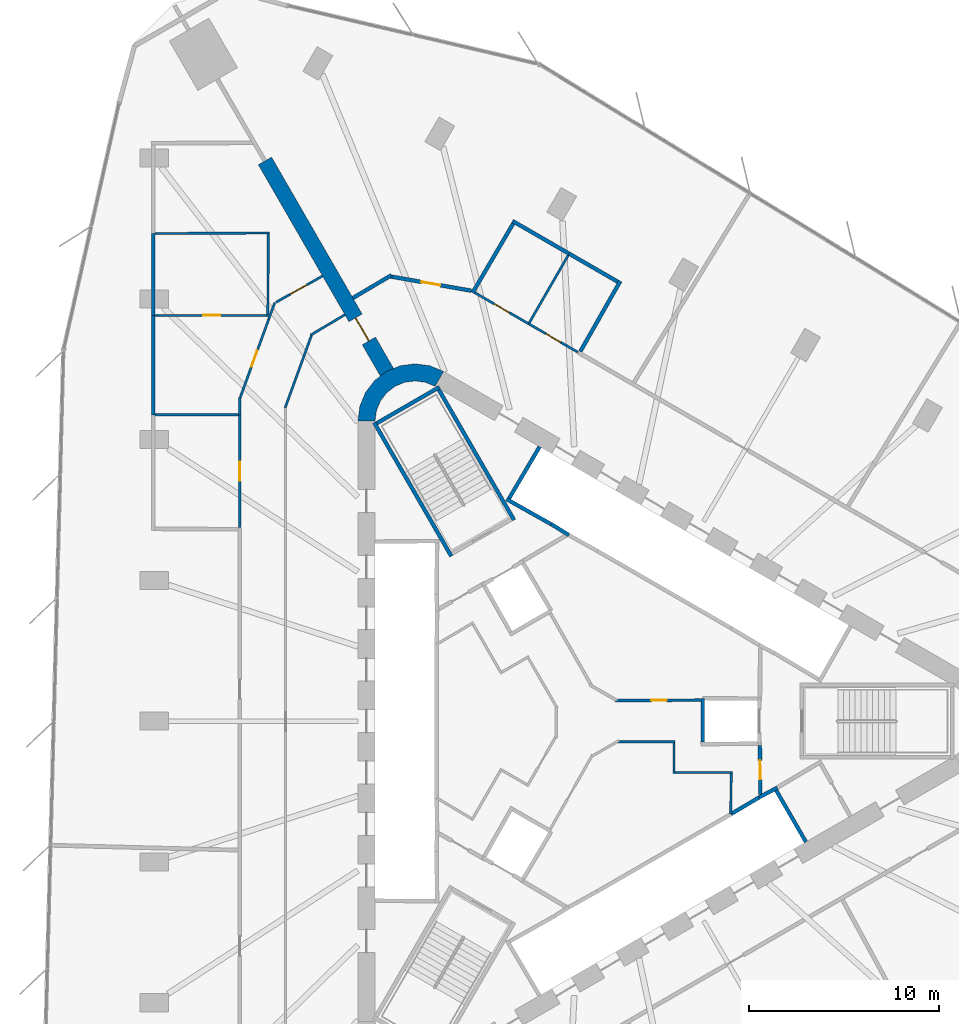
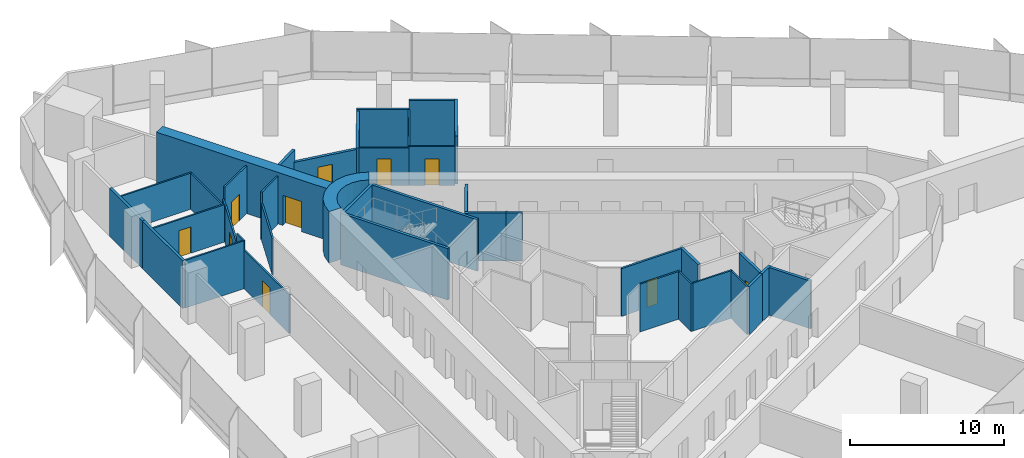
# One storey, part 11 of 14: 40 walls, 10 doors, 10 openings.
"""IFC4 building model written with IfcOpenShell, lengths in metres."""

from ifc_helpers import new_model, si_unit, direction, frame, frame_2d, origin, place, context, subcontext, project, spatial, polyline, rectangle, outline, extrude, material, layer, layer_set, type_object, element, fill, save


model = new_model("IFC4")

# Units and contexts
model_context = context("Model", 3, precision=1e-05, world=origin(), true_north=direction((0.0, 1.0)))
body_context = subcontext(model_context, "Body", "Model", "MODEL_VIEW")
ifc_project = project(units=[si_unit("LENGTHUNIT", "METRE"), si_unit("AREAUNIT", "SQUARE_METRE"), si_unit("VOLUMEUNIT", "CUBIC_METRE"), si_unit("PLANEANGLEUNIT", "RADIAN"), si_unit("MASSUNIT", "GRAM", prefix="KILO")], contexts=[model_context])

# Site, building, storey
site_placement = place(None, origin())
site = spatial("IfcSite", under=ifc_project, at=site_placement, CompositionType="ELEMENT")
building_placement = place(site_placement, origin())
building = spatial("IfcBuilding", under=site, at=building_placement, Name="Tanit Gate Tower", CompositionType="ELEMENT")
storey_placement = place(building_placement, frame((0.0, 0.0, 127.5)))
storey = spatial("IfcBuildingStorey", under=building, at=storey_placement, Name="L27", CompositionType="ELEMENT", Elevation=127.5)

# Wall, opening, door
ifc_material_1 = material(Name="Concrete C60/75", Category="concrete")
ifc_layer_1 = layer(ifc_material_1, 0.800048828125)
ifc_layer_set_1 = layer_set([ifc_layer_1], Name="BUTTRESS FIN 800 C60/75")
wall_type_1 = type_object("IfcWallType", Name="BUTTRESS FIN 800 C60/75", PredefinedType="SHEAR", material=ifc_layer_set_1)
wall_1_placement = place(storey_placement, frame((-10.574951171875, 18.31640625, 0.0), z_axis=(0.0, 0.0, 1.0), x_axis=(-0.500008359956, 0.866020577108, 0.0)))
wall_1 = element("IfcWall", 1, at=wall_1_placement, inside=storey, type_object=wall_type_1, Name="BUTTRESS FIN", PredefinedType="SHEAR", context=body_context, shape_type="SweptSolid", body=[
    extrude(rectangle(XDim=12.812255859375, YDim=0.800048828125, at=frame_2d((6.40625, 0.0))), origin(), (0.0, 0.0, 1.0), 4.10009765625),
])
opening_1_placement = place(wall_1_placement, frame((1.89990234375, 0.0, 0.0)))
opening_1 = element("IfcOpeningElement", 2, at=opening_1_placement, cuts=wall_1, Name="Opening P14-S06-F-NW-1", PredefinedType="OPENING", context=body_context, shape_type="SweptSolid", body=[
    extrude(rectangle(XDim=1.39990234375, YDim=2.39990234375, at=frame_2d((0.699951171875, 1.199951171875))), frame((0.0, 0.41015625, 0.0), z_axis=(0.0, -1.0, 0.0), x_axis=(1.0, 0.0, 0.0)), (0.0, 0.0, 1.0), 0.820068359375),
])
ifc_material_2 = material(Name="Timber door leaf", Category="wood")
door_type_1 = type_object("IfcDoorType", Name="INT-DOOR-FIN-PAIR-1400", OperationType="NOTDEFINED", PredefinedType="NOTDEFINED", material=ifc_material_2)
door_1_placement = place(opening_1_placement, origin())
door_1 = element("IfcDoor", 3, at=door_1_placement, inside=storey, type_object=door_type_1, Name="Door P14-S06-F-NW-1", OperationType="DOUBLE_DOOR_SINGLE_SWING", OverallHeight=2.39990234375, OverallWidth=1.39990234375, PredefinedType="NOTDEFINED", context=body_context, shape_type="SweptSolid", body=[
    extrude(rectangle(XDim=1.39990234375, YDim=2.39990234375, at=frame_2d((0.699951171875, 1.199951171875))), frame((0.0, 0.02490234375, 0.0), z_axis=(0.0, -1.0, 0.0), x_axis=(1.0, 0.0, 0.0)), (0.0, 0.0, 1.0), 0.050048828125),
])
fill(opening_1, door_1)

# Wall
ifc_material_3 = material(Name="Concrete C60/75", Category="concrete")
ifc_layer_2 = layer(ifc_material_3, 0.89990234375)
ifc_layer_set_2 = layer_set([ifc_layer_2], Name="CORE WALL 900 C60/75")
wall_type_2 = type_object("IfcWallType", Name="CORE WALL 900 C60/75", PredefinedType="SHEAR", material=ifc_layer_set_2)
wall_2_placement = place(storey_placement, origin())
element("IfcWall", 4, at=wall_2_placement, inside=storey, type_object=wall_type_2, Name="CORE WALL CORNER", PredefinedType="SHEAR", context=body_context, shape_type="SweptSolid", body=[
    extrude(outline(polyline([(-7.60009765625, 18.359619140625), (-8.323486328125, 18.659423828125), (-9.10009765625, 18.76171875), (-9.87646484375, 18.659423828125), (-10.60009765625, 18.359619140625), (-11.22119140625, 17.883056640625), (-11.697998046875, 17.26171875), (-11.997802734375, 16.5380859375), (-12.10009765625, 15.76171875), (-11.199951171875, 15.76171875), (-11.12841796875, 16.30517578125), (-10.918701171875, 16.811767578125), (-10.5849609375, 17.24658203125), (-10.14990234375, 17.580322265625), (-9.6435546875, 17.7900390625), (-9.10009765625, 17.86181640625), (-8.556396484375, 17.7900390625), (-8.050048828125, 17.580322265625), (-7.60009765625, 18.359619140625)])), origin(), (0.0, 0.0, 1.0), 4.10009765625),
])

# Wall, opening, door
ifc_material_4 = material(Name="Fire-rated gypsum board partition")
ifc_layer_3 = layer(ifc_material_4, 0.199951171875)
ifc_layer_set_3 = layer_set([ifc_layer_3], Name="INT-WALL-COMPARTMENT")
wall_type_3 = type_object("IfcWallType", Name="INT-WALL-COMPARTMENT", PredefinedType="PARTITIONING", material=ifc_layer_set_3)
wall_3_placement = place(storey_placement, frame((9.02880859375, -3.850830078125, 0.0), z_axis=(0.0, 0.0, 1.0), x_axis=(-0.010783593937, 0.99994185536, 0.0)))
wall_3 = element("IfcWall", 5, at=wall_3_placement, inside=storey, type_object=wall_type_3, Name="Wall Compartment W060", PredefinedType="PARTITIONING", context=body_context, shape_type="SweptSolid", body=[
    extrude(rectangle(XDim=2.5810546875, YDim=0.199951171875, at=frame_2d((1.29052734375, 0.0))), origin(), (0.0, 0.0, 1.0), 3.800048828125),
])
opening_2_placement = place(wall_3_placement, frame((0.79052734375, 0.0, 0.0)))
opening_2 = element("IfcOpeningElement", 6, at=opening_2_placement, cuts=wall_3, Name="Opening F10-S06-02", PredefinedType="OPENING", context=body_context, shape_type="SweptSolid", body=[
    extrude(rectangle(XDim=1.0, YDim=2.10009765625, at=frame_2d((0.5, 1.050048828125))), frame((0.0, 0.10986328125, 0.0), z_axis=(0.0, -1.0, 0.0), x_axis=(1.0, 0.0, 0.0)), (0.0, 0.0, 1.0), 0.219970703125),
])
ifc_material_5 = material(Name="Fire-rated steel door leaf", Category="steel")
door_type_2 = type_object("IfcDoorType", Name="INT-DOOR-FIRE-1000", OperationType="NOTDEFINED", PredefinedType="USERDEFINED", material=ifc_material_5)
door_2_placement = place(opening_2_placement, origin())
door_2 = element("IfcDoor", 7, at=door_2_placement, inside=storey, type_object=door_type_2, Name="Door F10-S06-02", ObjectType="FIRE DOOR", OperationType="SINGLE_SWING_LEFT", OverallHeight=2.10009765625, OverallWidth=1.0, PredefinedType="USERDEFINED", context=body_context, shape_type="SweptSolid", body=[
    extrude(rectangle(XDim=1.0, YDim=2.10009765625, at=frame_2d((0.5, 1.050048828125))), frame((0.0, 0.02490234375, 0.0), z_axis=(0.0, -1.0, 0.0), x_axis=(1.0, 0.0, 0.0)), (0.0, 0.0, 1.0), 0.050048828125),
])
fill(opening_2, door_2)

# Wall
wall_4_placement = place(storey_placement, frame((-10.3388671875, 23.4150390625, 0.0), z_axis=(0.0, 0.0, 1.0), x_axis=(-0.860316803263, -0.509759745393, 0.0)))
element("IfcWall", 8, at=wall_4_placement, inside=storey, type_object=wall_type_3, Name="Wall Compartment W097", PredefinedType="PARTITIONING", context=body_context, shape_type="SweptSolid", body=[
    extrude(rectangle(XDim=2.35400390625, YDim=0.199951171875, at=frame_2d((1.177001953125, 0.0))), origin(), (0.0, 0.0, 1.0), 3.800048828125),
])

# Wall, opening, door
wall_5_placement = place(storey_placement, frame((-6.140625, 22.597900390625, 0.0), z_axis=(0.0, 0.0, 1.0), x_axis=(-0.984804622474, 0.173665930897, 0.0)))
wall_5 = element("IfcWall", 9, at=wall_5_placement, inside=storey, type_object=wall_type_3, Name="Wall Compartment W098", PredefinedType="PARTITIONING", context=body_context, shape_type="SweptSolid", body=[
    extrude(rectangle(XDim=4.31591796875, YDim=0.199951171875, at=frame_2d((2.157958984375, 0.0))), origin(), (0.0, 0.0, 1.0), 2.8798828125),
])
opening_3_placement = place(wall_5_placement, frame((1.657958984375, 0.0, 0.0)))
opening_3 = element("IfcOpeningElement", 10, at=opening_3_placement, cuts=wall_5, Name="Opening F10-S06-23", PredefinedType="OPENING", context=body_context, shape_type="SweptSolid", body=[
    extrude(rectangle(XDim=1.0, YDim=2.10009765625, at=frame_2d((0.5, 1.050048828125))), frame((0.0, 0.10986328125, 0.0), z_axis=(0.0, -1.0, 0.0), x_axis=(1.0, 0.0, 0.0)), (0.0, 0.0, 1.0), 0.219970703125),
])
door_3_placement = place(opening_3_placement, origin())
door_3 = element("IfcDoor", 11, at=door_3_placement, inside=storey, type_object=door_type_2, Name="Door F10-S06-23", ObjectType="FIRE DOOR", OperationType="SINGLE_SWING_LEFT", OverallHeight=2.10009765625, OverallWidth=1.0, PredefinedType="USERDEFINED", context=body_context, shape_type="SweptSolid", body=[
    extrude(rectangle(XDim=1.0, YDim=2.10009765625, at=frame_2d((0.5, 1.050048828125))), frame((0.0, 0.02490234375, 0.0), z_axis=(0.0, -1.0, 0.0), x_axis=(1.0, 0.0, 0.0)), (0.0, 0.0, 1.0), 0.050048828125),
])
fill(opening_3, door_3)

# Walls
wall_6_placement = place(storey_placement, frame((-22.85009765625, 21.302490234375, 0.0), z_axis=(0.0, 0.0, 1.0), x_axis=(0.0, 1.0, 0.0)))
element("IfcWall", 12, at=wall_6_placement, inside=storey, type_object=wall_type_3, Name="Wall Compartment W121", PredefinedType="PARTITIONING", context=body_context, shape_type="SweptSolid", body=[
    extrude(rectangle(XDim=4.29736328125, YDim=0.199951171875, at=frame_2d((2.148681640625, 0.0))), origin(), (0.0, 0.0, 1.0), 3.800048828125),
])
wall_7_placement = place(storey_placement, frame((-22.85009765625, 16.083740234375, 0.0), z_axis=(0.0, 0.0, 1.0), x_axis=(0.0, 1.0, 0.0)))
element("IfcWall", 13, at=wall_7_placement, inside=storey, type_object=wall_type_3, Name="Wall Compartment W120", PredefinedType="PARTITIONING", context=body_context, shape_type="SweptSolid", body=[
    extrude(rectangle(XDim=5.21875, YDim=0.199951171875, at=frame_2d((2.609375, 0.0))), origin(), (0.0, 0.0, 1.0), 3.800048828125),
])
wall_8_placement = place(storey_placement, frame((-0.42138671875, 19.411376953125, 0.0), z_axis=(0.0, 0.0, 1.0), x_axis=(0.493854448618, 0.86954458401, 0.0)))
element("IfcWall", 14, at=wall_8_placement, inside=storey, type_object=wall_type_3, Name="Wall Compartment W126", PredefinedType="PARTITIONING", context=body_context, shape_type="SweptSolid", body=[
    extrude(rectangle(XDim=4.25, YDim=0.199951171875, at=frame_2d((2.125, 0.0))), origin(), (0.0, 0.0, 1.0), 3.800048828125),
])
wall_9_placement = place(storey_placement, frame((-3.983642578125, 26.260009765625, 0.0), z_axis=(0.0, 0.0, 1.0), x_axis=(0.866016279763, -0.500015802937, 0.0)))
element("IfcWall", 15, at=wall_9_placement, inside=storey, type_object=wall_type_3, Name="Wall Compartment W128", PredefinedType="PARTITIONING", context=body_context, shape_type="SweptSolid", body=[
    extrude(rectangle(XDim=3.43408203125, YDim=0.199951171875, at=frame_2d((1.717041015625, 0.0))), origin(), (0.0, 0.0, 1.0), 3.080078125),
])
wall_10_placement = place(storey_placement, frame((-1.009765625, 24.54296875, 0.0), z_axis=(0.0, 0.0, 1.0), x_axis=(0.866036539348, -0.499980712142, 0.0)))
element("IfcWall", 16, at=wall_10_placement, inside=storey, type_object=wall_type_3, Name="Wall Compartment W127", PredefinedType="PARTITIONING", context=body_context, shape_type="SweptSolid", body=[
    extrude(rectangle(XDim=2.94580078125, YDim=0.199951171875, at=frame_2d((1.472900390625, 0.0))), origin(), (0.0, 0.0, 1.0), 3.800048828125),
])
wall_11_placement = place(storey_placement, frame((-6.078369140625, 22.49267578125, 0.0), z_axis=(0.0, 0.0, 1.0), x_axis=(0.506079610092, 0.862486769898, 0.0)))
element("IfcWall", 17, at=wall_11_placement, inside=storey, type_object=wall_type_3, Name="Wall Compartment W129", PredefinedType="PARTITIONING", context=body_context, shape_type="SweptSolid", body=[
    extrude(rectangle(XDim=4.2099609375, YDim=0.199951171875, at=frame_2d((2.10498046875, 0.0))), origin(), (0.0, 0.0, 1.0), 2.97998046875),
])
ifc_material_6 = material(Name="Gypsum board partition")
ifc_layer_4 = layer(ifc_material_6, 0.1201171875)
ifc_layer_set_4 = layer_set([ifc_layer_4], Name="INT-WALL-PARTITION")
wall_type_4 = type_object("IfcWallType", Name="INT-WALL-PARTITION", PredefinedType="PARTITIONING", material=ifc_layer_set_4)
wall_12_placement = place(storey_placement, frame((4.56005859375, -1.074951171875, 0.0), z_axis=(0.0, 0.0, 1.0), x_axis=(-1.0, 0.0, 0.0)))
element("IfcWall", 18, at=wall_12_placement, inside=storey, type_object=wall_type_4, Name="Wall Partition W070", PredefinedType="PARTITIONING", context=body_context, shape_type="SweptSolid", body=[
    extrude(rectangle(XDim=3.02587890625, YDim=0.1201171875, at=frame_2d((1.512939453125, 0.0))), origin(), (0.0, 0.0, 1.0), 3.800048828125),
])
wall_13_placement = place(storey_placement, frame((4.5, -2.760009765625, 0.0), z_axis=(0.0, 0.0, 1.0), x_axis=(0.0, 1.0, 0.0)))
element("IfcWall", 19, at=wall_13_placement, inside=storey, type_object=wall_type_4, Name="Wall Partition W071", PredefinedType="PARTITIONING", context=body_context, shape_type="SweptSolid", body=[
    extrude(rectangle(XDim=1.625, YDim=0.1201171875, at=frame_2d((0.8125, 0.0))), origin(), (0.0, 0.0, 1.0), 3.800048828125),
])
wall_14_placement = place(storey_placement, frame((7.56005859375, -2.699951171875, 0.0), z_axis=(0.0, 0.0, 1.0), x_axis=(-1.0, 0.0, 0.0)))
element("IfcWall", 20, at=wall_14_placement, inside=storey, type_object=wall_type_4, Name="Wall Partition W072", PredefinedType="PARTITIONING", context=body_context, shape_type="SweptSolid", body=[
    extrude(rectangle(XDim=3.0, YDim=0.1201171875, at=frame_2d((1.5, 0.0))), origin(), (0.0, 0.0, 1.0), 3.800048828125),
])
wall_15_placement = place(storey_placement, frame((7.474609375, -4.864501953125, 0.0), z_axis=(0.0, 0.0, 1.0), x_axis=(0.011716133148, 0.999931363757, 0.0)))
element("IfcWall", 21, at=wall_15_placement, inside=storey, type_object=wall_type_4, Name="Wall Partition W073", PredefinedType="PARTITIONING", context=body_context, shape_type="SweptSolid", body=[
    extrude(rectangle(XDim=2.104736328125, YDim=0.1201171875, at=frame_2d((1.05224609375, 0.0))), origin(), (0.0, 0.0, 1.0), 3.800048828125),
])
wall_16_placement = place(storey_placement, frame((-12.781982421875, 21.339111328125, 0.0), z_axis=(0.0, 0.0, 1.0), x_axis=(-0.859769901207, -0.510681619973, 0.0)))
element("IfcWall", 22, at=wall_16_placement, inside=storey, type_object=wall_type_4, Name="Wall Partition W083", PredefinedType="PARTITIONING", context=body_context, shape_type="SweptSolid", body=[
    extrude(rectangle(XDim=2.092529296875, YDim=0.1201171875, at=frame_2d((1.04638671875, 0.0))), origin(), (0.0, 0.0, 1.0), 3.800048828125),
])
wall_17_placement = place(storey_placement, frame((-14.527587890625, 20.281982421875, 0.0), z_axis=(0.0, 0.0, 1.0), x_axis=(-0.341969257767, -0.939711140054, 0.0)))
element("IfcWall", 23, at=wall_17_placement, inside=storey, type_object=wall_type_4, Name="Wall Partition W084", PredefinedType="PARTITIONING", context=body_context, shape_type="SweptSolid", body=[
    extrude(rectangle(XDim=4.072998046875, YDim=0.1201171875, at=frame_2d((2.03662109375, 0.0))), origin(), (0.0, 0.0, 1.0), 2.8798828125),
])
wall_18_placement = place(storey_placement, frame((-18.300048828125, 16.994140625, 0.0), z_axis=(0.0, 0.0, 1.0), x_axis=(0.0, -1.0, 0.0)))
element("IfcWall", 24, at=wall_18_placement, inside=storey, type_object=wall_type_4, Name="Wall Partition W093", PredefinedType="PARTITIONING", context=body_context, shape_type="SweptSolid", body=[
    extrude(rectangle(XDim=0.910400390625, YDim=0.1201171875, at=frame_2d((0.455078125, 0.0))), origin(), (0.0, 0.0, 1.0), 3.800048828125),
])

# Wall, opening, door
wall_19_placement = place(storey_placement, frame((-18.300048828125, 16.083740234375, 0.0), z_axis=(0.0, 0.0, 1.0), x_axis=(0.0, -1.0, 0.0)))
wall_19 = element("IfcWall", 25, at=wall_19_placement, inside=storey, type_object=wall_type_4, Name="Wall Partition W092", PredefinedType="PARTITIONING", context=body_context, shape_type="SweptSolid", body=[
    extrude(rectangle(XDim=5.913818359375, YDim=0.1201171875, at=frame_2d((2.95703125, 0.0))), origin(), (0.0, 0.0, 1.0), 3.080078125),
])
opening_4_placement = place(wall_19_placement, frame((2.456787109375, 0.0, 0.0)))
opening_4 = element("IfcOpeningElement", 26, at=opening_4_placement, cuts=wall_19, Name="Opening D10-S06-15", PredefinedType="OPENING", context=body_context, shape_type="SweptSolid", body=[
    extrude(rectangle(XDim=1.0, YDim=2.10009765625, at=frame_2d((0.5, 1.050048828125))), frame((0.0, 0.070068359375, 0.0), z_axis=(0.0, -1.0, 0.0), x_axis=(1.0, 0.0, 0.0)), (0.0, 0.0, 1.0), 0.14013671875),
])
ifc_material_7 = material(Name="Timber door leaf", Category="wood")
door_type_3 = type_object("IfcDoorType", Name="INT-DOOR-SINGLE-1000", OperationType="NOTDEFINED", PredefinedType="NOTDEFINED", material=ifc_material_7)
door_4_placement = place(opening_4_placement, origin())
door_4 = element("IfcDoor", 27, at=door_4_placement, inside=storey, type_object=door_type_3, Name="Door D10-S06-15", OperationType="SINGLE_SWING_LEFT", OverallHeight=2.10009765625, OverallWidth=1.0, PredefinedType="NOTDEFINED", context=body_context, shape_type="SweptSolid", body=[
    extrude(rectangle(XDim=1.0, YDim=2.10009765625, at=frame_2d((0.5, 1.050048828125))), frame((0.0, 0.02490234375, 0.0), z_axis=(0.0, -1.0, 0.0), x_axis=(1.0, 0.0, 0.0)), (0.0, 0.0, 1.0), 0.050048828125),
])
fill(opening_4, door_4)

# Wall
wall_20_placement = place(storey_placement, frame((-16.467041015625, 21.970458984375, 0.0), z_axis=(0.0, 0.0, 1.0), x_axis=(-0.341973086836, -0.939709746613, 0.0)))
element("IfcWall", 28, at=wall_20_placement, inside=storey, type_object=wall_type_4, Name="Wall Partition W095", PredefinedType="PARTITIONING", context=body_context, shape_type="SweptSolid", body=[
    extrude(rectangle(XDim=0.937255859375, YDim=0.1201171875, at=frame_2d((0.46875, 0.0))), origin(), (0.0, 0.0, 1.0), 2.8798828125),
])

# Wall, opening, door
wall_21_placement = place(storey_placement, frame((-16.78759765625, 21.089599609375, 0.0), z_axis=(0.0, 0.0, 1.0), x_axis=(-0.342035154905, -0.939687156882, 0.0)))
wall_21 = element("IfcWall", 29, at=wall_21_placement, inside=storey, type_object=wall_type_4, Name="Wall Partition W094", PredefinedType="PARTITIONING", context=body_context, shape_type="SweptSolid", body=[
    extrude(rectangle(XDim=4.362060546875, YDim=0.1201171875, at=frame_2d((2.18115234375, 0.0))), origin(), (0.0, 0.0, 1.0), 2.97998046875),
])
opening_5_placement = place(wall_21_placement, frame((1.73095703125, 0.0, 0.0)))
opening_5 = element("IfcOpeningElement", 30, at=opening_5_placement, cuts=wall_21, Name="Opening D09-S06-16", PredefinedType="OPENING", context=body_context, shape_type="SweptSolid", body=[
    extrude(rectangle(XDim=0.89990234375, YDim=2.10009765625, at=frame_2d((0.449951171875, 1.050048828125))), frame((0.0, 0.070068359375, 0.0), z_axis=(0.0, -1.0, 0.0), x_axis=(1.0, 0.0, 0.0)), (0.0, 0.0, 1.0), 0.14013671875),
])
ifc_material_8 = material(Name="Timber door leaf", Category="wood")
door_type_4 = type_object("IfcDoorType", Name="INT-DOOR-SINGLE-900", OperationType="NOTDEFINED", PredefinedType="NOTDEFINED", material=ifc_material_8)
door_5_placement = place(opening_5_placement, origin())
door_5 = element("IfcDoor", 31, at=door_5_placement, inside=storey, type_object=door_type_4, Name="Door D09-S06-16", OperationType="SINGLE_SWING_LEFT", OverallHeight=2.10009765625, OverallWidth=0.89990234375, PredefinedType="NOTDEFINED", context=body_context, shape_type="SweptSolid", body=[
    extrude(rectangle(XDim=0.89990234375, YDim=2.10009765625, at=frame_2d((0.449951171875, 1.050048828125))), frame((0.0, 0.02490234375, 0.0), z_axis=(0.0, -1.0, 0.0), x_axis=(1.0, 0.0, 0.0)), (0.0, 0.0, 1.0), 0.050048828125),
])
fill(opening_5, door_5)

wall_22_placement = place(storey_placement, frame((-13.956298828125, 23.373046875, 0.0), z_axis=(0.0, 0.0, 1.0), x_axis=(-0.870551471841, -0.492077366757, 0.0)))
wall_22 = element("IfcWall", 32, at=wall_22_placement, inside=storey, type_object=wall_type_4, Name="Wall Partition W096", PredefinedType="PARTITIONING", context=body_context, shape_type="SweptSolid", body=[
    extrude(rectangle(XDim=2.80029296875, YDim=0.1201171875, at=frame_2d((1.400146484375, 0.0))), origin(), (0.0, 0.0, 1.0), 3.800048828125),
])
opening_6_placement = place(wall_22_placement, frame((0.9501953125, 0.0, 0.0)))
opening_6 = element("IfcOpeningElement", 33, at=opening_6_placement, cuts=wall_22, Name="Opening D10-S06-18", PredefinedType="OPENING", context=body_context, shape_type="SweptSolid", body=[
    extrude(rectangle(XDim=1.0, YDim=2.10009765625, at=frame_2d((0.5, 1.050048828125))), frame((0.0, 0.070068359375, 0.0), z_axis=(0.0, -1.0, 0.0), x_axis=(1.0, 0.0, 0.0)), (0.0, 0.0, 1.0), 0.14013671875),
])
door_6_placement = place(opening_6_placement, origin())
door_6 = element("IfcDoor", 34, at=door_6_placement, inside=storey, type_object=door_type_3, Name="Door D10-S06-18", OperationType="SINGLE_SWING_RIGHT", OverallHeight=2.10009765625, OverallWidth=1.0, PredefinedType="NOTDEFINED", context=body_context, shape_type="SweptSolid", body=[
    extrude(rectangle(XDim=1.0, YDim=2.10009765625, at=frame_2d((0.5, 1.050048828125))), frame((0.0, 0.02490234375, 0.0), z_axis=(0.0, -1.0, 0.0), x_axis=(1.0, 0.0, 0.0)), (0.0, 0.0, 1.0), 0.050048828125),
])
fill(opening_6, door_6)

wall_23_placement = place(storey_placement, frame((-0.557373046875, 19.37451171875, 0.0), z_axis=(0.0, 0.0, 1.0), x_axis=(-0.866028486751, 0.499994660107, 0.0)))
wall_23 = element("IfcWall", 35, at=wall_23_placement, inside=storey, type_object=wall_type_4, Name="Wall Partition W104", PredefinedType="PARTITIONING", context=body_context, shape_type="SweptSolid", body=[
    extrude(rectangle(XDim=2.97607421875, YDim=0.1201171875, at=frame_2d((1.488037109375, 0.0))), origin(), (0.0, 0.0, 1.0), 3.080078125),
])
opening_7_placement = place(wall_23_placement, frame((1.0380859375, 0.0, 0.0)))
opening_7 = element("IfcOpeningElement", 36, at=opening_7_placement, cuts=wall_23, Name="Opening D09-S06-19", PredefinedType="OPENING", context=body_context, shape_type="SweptSolid", body=[
    extrude(rectangle(XDim=0.89990234375, YDim=2.10009765625, at=frame_2d((0.449951171875, 1.050048828125))), frame((0.0, 0.070068359375, 0.0), z_axis=(0.0, -1.0, 0.0), x_axis=(1.0, 0.0, 0.0)), (0.0, 0.0, 1.0), 0.14013671875),
])
door_7_placement = place(opening_7_placement, origin())
door_7 = element("IfcDoor", 37, at=door_7_placement, inside=storey, type_object=door_type_4, Name="Door D09-S06-19", OperationType="SINGLE_SWING_LEFT", OverallHeight=2.10009765625, OverallWidth=0.89990234375, PredefinedType="NOTDEFINED", context=body_context, shape_type="SweptSolid", body=[
    extrude(rectangle(XDim=0.89990234375, YDim=2.10009765625, at=frame_2d((0.449951171875, 1.050048828125))), frame((0.0, 0.02490234375, 0.0), z_axis=(0.0, -1.0, 0.0), x_axis=(1.0, 0.0, 0.0)), (0.0, 0.0, 1.0), 0.050048828125),
])
fill(opening_7, door_7)

wall_24_placement = place(storey_placement, frame((-3.134765625, 20.862548828125, 0.0), z_axis=(0.0, 0.0, 1.0), x_axis=(-0.866043587326, 0.49996850386, 0.0)))
wall_24 = element("IfcWall", 38, at=wall_24_placement, inside=storey, type_object=wall_type_4, Name="Wall Partition W105", PredefinedType="PARTITIONING", context=body_context, shape_type="SweptSolid", body=[
    extrude(rectangle(XDim=3.263916015625, YDim=0.1201171875, at=frame_2d((1.6318359375, 0.0))), origin(), (0.0, 0.0, 1.0), 2.97998046875),
])
opening_8_placement = place(wall_24_placement, frame((1.181884765625, 0.0, 0.0)))
opening_8 = element("IfcOpeningElement", 39, at=opening_8_placement, cuts=wall_24, Name="Opening D09-S06-20", PredefinedType="OPENING", context=body_context, shape_type="SweptSolid", body=[
    extrude(rectangle(XDim=0.89990234375, YDim=2.10009765625, at=frame_2d((0.449951171875, 1.050048828125))), frame((0.0, 0.070068359375, 0.0), z_axis=(0.0, -1.0, 0.0), x_axis=(1.0, 0.0, 0.0)), (0.0, 0.0, 1.0), 0.14013671875),
])
door_8_placement = place(opening_8_placement, origin())
door_8 = element("IfcDoor", 40, at=door_8_placement, inside=storey, type_object=door_type_4, Name="Door D09-S06-20", OperationType="SINGLE_SWING_RIGHT", OverallHeight=2.10009765625, OverallWidth=0.89990234375, PredefinedType="NOTDEFINED", context=body_context, shape_type="SweptSolid", body=[
    extrude(rectangle(XDim=0.89990234375, YDim=2.10009765625, at=frame_2d((0.449951171875, 1.050048828125))), frame((0.0, 0.02490234375, 0.0), z_axis=(0.0, -1.0, 0.0), x_axis=(1.0, 0.0, 0.0)), (0.0, 0.0, 1.0), 0.050048828125),
])
fill(opening_8, door_8)

# Wall
wall_25_placement = place(storey_placement, frame((-18.360107421875, 16.083740234375, 0.0), z_axis=(0.0, 0.0, 1.0), x_axis=(-1.0, 0.0, 0.0)))
element("IfcWall", 41, at=wall_25_placement, inside=storey, type_object=wall_type_4, Name="Wall Partition W135", PredefinedType="PARTITIONING", context=body_context, shape_type="SweptSolid", body=[
    extrude(rectangle(XDim=4.389892578125, YDim=0.1201171875, at=frame_2d((2.19482421875, 0.0))), origin(), (0.0, 0.0, 1.0), 3.800048828125),
])

# Wall, opening, door
wall_26_placement = place(storey_placement, frame((-16.800048828125, 21.302490234375, 0.0), z_axis=(0.0, 0.0, 1.0), x_axis=(-1.0, 0.0, 0.0)))
wall_26 = element("IfcWall", 42, at=wall_26_placement, inside=storey, type_object=wall_type_4, Name="Wall Partition W136", PredefinedType="PARTITIONING", context=body_context, shape_type="SweptSolid", body=[
    extrude(rectangle(XDim=5.949951171875, YDim=0.1201171875, at=frame_2d((2.97509765625, 0.0))), origin(), (0.0, 0.0, 1.0), 2.97998046875),
])
opening_9_placement = place(wall_26_placement, frame((2.52490234375, 0.0, 0.0)))
opening_9 = element("IfcOpeningElement", 43, at=opening_9_placement, cuts=wall_26, Name="Opening D09-S06-17", PredefinedType="OPENING", context=body_context, shape_type="SweptSolid", body=[
    extrude(rectangle(XDim=0.89990234375, YDim=2.10009765625, at=frame_2d((0.449951171875, 1.050048828125))), frame((0.0, 0.070068359375, 0.0), z_axis=(0.0, -1.0, 0.0), x_axis=(1.0, 0.0, 0.0)), (0.0, 0.0, 1.0), 0.14013671875),
])
door_9_placement = place(opening_9_placement, origin())
door_9 = element("IfcDoor", 44, at=door_9_placement, inside=storey, type_object=door_type_4, Name="Door D09-S06-17", OperationType="SINGLE_SWING_RIGHT", OverallHeight=2.10009765625, OverallWidth=0.89990234375, PredefinedType="NOTDEFINED", context=body_context, shape_type="SweptSolid", body=[
    extrude(rectangle(XDim=0.89990234375, YDim=2.10009765625, at=frame_2d((0.449951171875, 1.050048828125))), frame((0.0, 0.02490234375, 0.0), z_axis=(0.0, -1.0, 0.0), x_axis=(1.0, 0.0, 0.0)), (0.0, 0.0, 1.0), 0.050048828125),
])
fill(opening_9, door_9)

# Walls
wall_27_placement = place(storey_placement, frame((-22.75, 25.600341796875, 0.0), z_axis=(0.0, 0.0, 1.0), x_axis=(0.999987719631, 0.004955863907, 0.0)))
element("IfcWall", 45, at=wall_27_placement, inside=storey, type_object=wall_type_4, Name="Wall Partition W137", PredefinedType="PARTITIONING", context=body_context, shape_type="SweptSolid", body=[
    extrude(rectangle(XDim=6.010009765625, YDim=0.1201171875, at=frame_2d((3.0048828125, 0.0))), origin(), (0.0, 0.0, 1.0), 2.8798828125),
])
wall_28_placement = place(storey_placement, frame((-16.830078125, 21.332275390625, 0.0), z_axis=(0.0, 0.0, 1.0), x_axis=(0.006971081403, 0.999975701717, 0.0)))
element("IfcWall", 46, at=wall_28_placement, inside=storey, type_object=wall_type_4, Name="Wall Partition W138", PredefinedType="PARTITIONING", context=body_context, shape_type="SweptSolid", body=[
    extrude(rectangle(XDim=4.237548828125, YDim=0.1201171875, at=frame_2d((2.11865234375, 0.0))), origin(), (0.0, 0.0, 1.0), 2.8798828125),
])
wall_29_placement = place(storey_placement, frame((-3.104736328125, 20.914306640625, 0.0), z_axis=(0.0, 0.0, 1.0), x_axis=(0.499965302165, 0.866045435662, 0.0)))
element("IfcWall", 47, at=wall_29_placement, inside=storey, type_object=wall_type_4, Name="Wall Partition W139", PredefinedType="PARTITIONING", context=body_context, shape_type="SweptSolid", body=[
    extrude(rectangle(XDim=4.090087890625, YDim=0.1201171875, at=frame_2d((2.044921875, 0.0))), origin(), (0.0, 0.0, 1.0), 3.080078125),
])

# Wall, opening, door
ifc_material_9 = material(Name="Fire-rated gypsum board partition")
ifc_layer_5 = layer(ifc_material_9, 0.14990234375)
ifc_layer_set_5 = layer_set([ifc_layer_5], Name="INT-WALL-RISER")
wall_type_5 = type_object("IfcWallType", Name="INT-WALL-RISER", PredefinedType="PLUMBINGWALL", material=ifc_layer_set_5)
wall_30_placement = place(storey_placement, frame((1.3876953125, 1.07421875, 0.0), z_axis=(0.0, 0.0, 1.0), x_axis=(0.99997856967, 0.006546770205, 0.0)))
wall_30 = element("IfcWall", 48, at=wall_30_placement, inside=storey, type_object=wall_type_5, Name="Wall Riser W065", PredefinedType="PLUMBINGWALL", context=body_context, shape_type="SweptSolid", body=[
    extrude(rectangle(XDim=4.51220703125, YDim=0.14990234375, at=frame_2d((2.256103515625, 0.0))), origin(), (0.0, 0.0, 1.0), 3.800048828125),
])
opening_10_placement = place(wall_30_placement, frame((1.920166015625, 0.0, 0.0)))
opening_10 = element("IfcOpeningElement", 49, at=opening_10_placement, cuts=wall_30, Name="Opening R08-S06-10", PredefinedType="OPENING", context=body_context, shape_type="SweptSolid", body=[
    extrude(rectangle(XDim=0.800048828125, YDim=2.10009765625, at=frame_2d((0.39990234375, 1.050048828125))), frame((0.0, 0.0849609375, 0.0), z_axis=(0.0, -1.0, 0.0), x_axis=(1.0, 0.0, 0.0)), (0.0, 0.0, 1.0), 0.169921875),
])
ifc_material_10 = material(Name="Timber door leaf", Category="wood")
door_type_5 = type_object("IfcDoorType", Name="INT-DOOR-RISER-800", OperationType="NOTDEFINED", PredefinedType="USERDEFINED", material=ifc_material_10)
door_10_placement = place(opening_10_placement, origin())
door_10 = element("IfcDoor", 50, at=door_10_placement, inside=storey, type_object=door_type_5, Name="Door R08-S06-10", ObjectType="FIRE DOOR", OperationType="SINGLE_SWING_RIGHT", OverallHeight=2.10009765625, OverallWidth=0.800048828125, PredefinedType="USERDEFINED", context=body_context, shape_type="SweptSolid", body=[
    extrude(rectangle(XDim=0.800048828125, YDim=2.10009765625, at=frame_2d((0.39990234375, 1.050048828125))), frame((0.0, 0.02490234375, 0.0), z_axis=(0.0, -1.0, 0.0), x_axis=(1.0, 0.0, 0.0)), (0.0, 0.0, 1.0), 0.050048828125),
])
fill(opening_10, door_10)

# Walls
ifc_material_11 = material(Name="Gypsum shaft wall system")
ifc_layer_6 = layer(ifc_material_11, 0.199951171875)
ifc_layer_set_6 = layer_set([ifc_layer_6], Name="INT-WALL-SHAFT")
wall_type_6 = type_object("IfcWallType", Name="INT-WALL-SHAFT", PredefinedType="PLUMBINGWALL", material=ifc_layer_set_6)
wall_31_placement = place(storey_placement, frame((-1.940673828125, 10.338623046875, 0.0), z_axis=(0.0, 0.0, 1.0), x_axis=(0.850216889117, -0.526432561171, 0.0)))
element("IfcWall", 51, at=wall_31_placement, inside=storey, type_object=wall_type_6, Name="Wall Shaft W019", PredefinedType="PLUMBINGWALL", context=body_context, shape_type="SweptSolid", body=[
    extrude(rectangle(XDim=1.078369140625, YDim=0.199951171875, at=frame_2d((0.5390625, 0.0))), origin(), (0.0, 0.0, 1.0), 3.800048828125),
])
wall_32_placement = place(storey_placement, frame((-4.296142578125, 11.658935546875, 0.0), z_axis=(0.0, 0.0, 1.0), x_axis=(0.871534483978, -0.490334215854, 0.0)))
element("IfcWall", 52, at=wall_32_placement, inside=storey, type_object=wall_type_6, Name="Wall Shaft W021", PredefinedType="PLUMBINGWALL", context=body_context, shape_type="SweptSolid", body=[
    extrude(rectangle(XDim=2.7001953125, YDim=0.199951171875, at=frame_2d((1.35009765625, 0.0))), origin(), (0.0, 0.0, 1.0), 3.800048828125),
])
wall_33_placement = place(storey_placement, frame((-4.158203125, 11.696044921875, 0.0), z_axis=(0.0, 0.0, 1.0), x_axis=(0.508018930956, 0.861345903683, 0.0)))
element("IfcWall", 53, at=wall_33_placement, inside=storey, type_object=wall_type_6, Name="Wall Shaft W022", PredefinedType="PLUMBINGWALL", context=body_context, shape_type="SweptSolid", body=[
    extrude(rectangle(XDim=3.150146484375, YDim=0.199951171875, at=frame_2d((1.5751953125, 0.0))), origin(), (0.0, 0.0, 1.0), 3.800048828125),
])
wall_34_placement = place(storey_placement, frame((9.794677734375, -3.52490234375, 0.0), z_axis=(0.0, 0.0, 1.0), x_axis=(0.499984717929, -0.866034226713, 0.0)))
element("IfcWall", 54, at=wall_34_placement, inside=storey, type_object=wall_type_6, Name="Wall Shaft W024", PredefinedType="PLUMBINGWALL", context=body_context, shape_type="SweptSolid", body=[
    extrude(rectangle(XDim=3.25, YDim=0.199951171875, at=frame_2d((1.625, 0.0))), origin(), (0.0, 0.0, 1.0), 3.800048828125),
])
wall_35_placement = place(storey_placement, frame((8.97412109375, -3.998779296875, 0.0), z_axis=(0.0, 0.0, 1.0), x_axis=(0.880907015104, 0.473289373154, 0.0)))
element("IfcWall", 55, at=wall_35_placement, inside=storey, type_object=wall_type_6, Name="Wall Shaft W025", PredefinedType="PLUMBINGWALL", context=body_context, shape_type="SweptSolid", body=[
    extrude(rectangle(XDim=1.078125, YDim=0.199951171875, at=frame_2d((0.5390625, 0.0))), origin(), (0.0, 0.0, 1.0), 3.800048828125),
])
wall_36_placement = place(storey_placement, frame((7.4931640625, -4.87841796875, 0.0), z_axis=(0.0, 0.0, 1.0), x_axis=(0.859981807212, 0.510324691999, 0.0)))
element("IfcWall", 56, at=wall_36_placement, inside=storey, type_object=wall_type_6, Name="Wall Shaft W026", PredefinedType="PLUMBINGWALL", context=body_context, shape_type="SweptSolid", body=[
    extrude(rectangle(XDim=1.8447265625, YDim=0.199951171875, at=frame_2d((0.92236328125, 0.0))), origin(), (0.0, 0.0, 1.0), 3.800048828125),
])
wall_37_placement = place(storey_placement, frame((6.0, -1.10009765625, 0.0), z_axis=(0.0, 0.0, 1.0), x_axis=(0.0, 1.0, 0.0)))
element("IfcWall", 57, at=wall_37_placement, inside=storey, type_object=wall_type_6, Name="Wall Shaft W040", PredefinedType="PLUMBINGWALL", context=body_context, shape_type="SweptSolid", body=[
    extrude(rectangle(XDim=2.279541015625, YDim=0.199951171875, at=frame_2d((1.1396484375, 0.0))), origin(), (0.0, 0.0, 1.0), 3.800048828125),
])
ifc_material_12 = material(Name="Concrete C40/50", Category="concrete")
ifc_layer_7 = layer(ifc_material_12, 0.199951171875)
ifc_layer_set_7 = layer_set([ifc_layer_7], Name="INT-WALL-STAIR")
wall_type_7 = type_object("IfcWallType", Name="INT-WALL-STAIR", PredefinedType="SHEAR", material=ifc_layer_set_7)
wall_38_placement = place(storey_placement, frame((-11.245361328125, 15.677734375, -0.300048828125), z_axis=(0.0, 0.0, 1.0), x_axis=(0.499977274689, -0.866038523851, 0.0)))
element("IfcWall", 58, at=wall_38_placement, inside=storey, type_object=wall_type_7, Name="Wall Stair W041", PredefinedType="SHEAR", context=body_context, shape_type="SweptSolid", body=[
    extrude(rectangle(XDim=8.10009765625, YDim=0.199951171875, at=frame_2d((4.050048828125, 0.0))), origin(), (0.0, 0.0, 1.0), 4.10009765625),
])
wall_39_placement = place(storey_placement, frame((-7.81787109375, 17.541015625, -0.300048828125), z_axis=(0.0, 0.0, 1.0), x_axis=(-0.866044365799, -0.499967155389, 0.0)))
element("IfcWall", 59, at=wall_39_placement, inside=storey, type_object=wall_type_7, Name="Wall Stair W042", PredefinedType="SHEAR", context=body_context, shape_type="SweptSolid", body=[
    extrude(rectangle(XDim=3.800048828125, YDim=0.199951171875, at=frame_2d((1.89990234375, 0.0))), origin(), (0.0, 0.0, 1.0), 4.10009765625),
])
wall_40_placement = place(storey_placement, frame((-7.8544921875, 17.404541015625, -0.300048828125), z_axis=(0.0, 0.0, 1.0), x_axis=(0.499997992926, -0.866026562566, 0.0)))
element("IfcWall", 60, at=wall_40_placement, inside=storey, type_object=wall_type_7, Name="Wall Stair W043", PredefinedType="SHEAR", context=body_context, shape_type="SweptSolid", body=[
    extrude(rectangle(XDim=7.89990234375, YDim=0.199951171875, at=frame_2d((3.949951171875, 0.0))), origin(), (0.0, 0.0, 1.0), 4.10009765625),
])

save(model, "model.ifc")
